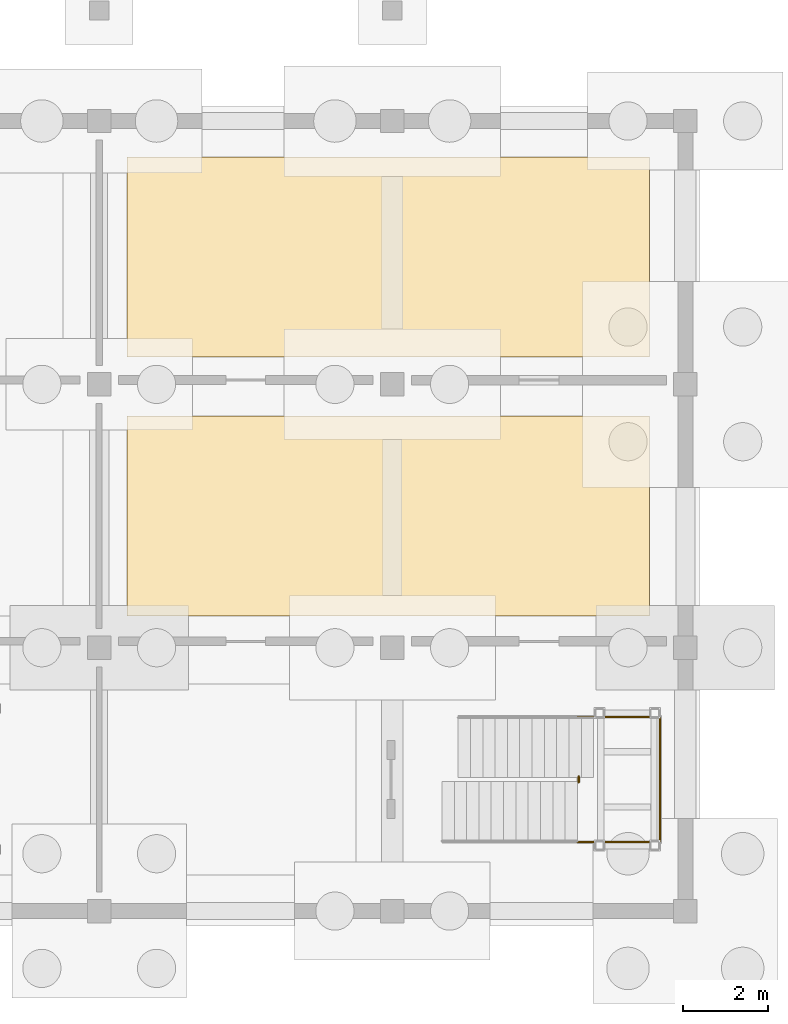
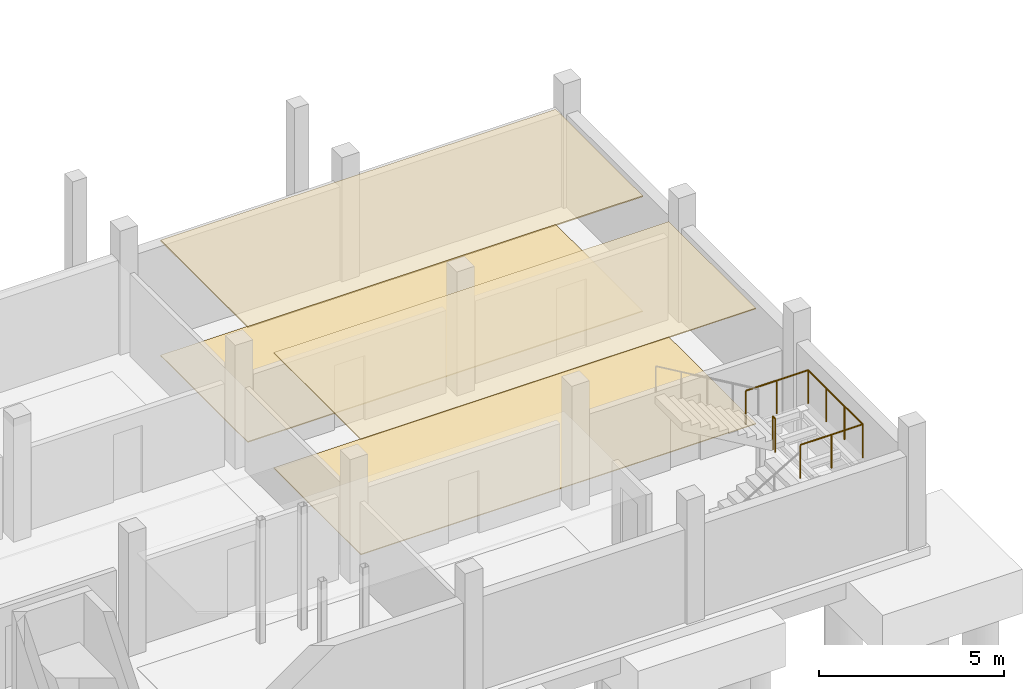
# One storey, part 54 of 58: 4 coverings, 2 railings.
"""IFC4 building model written with IfcOpenShell, lengths in metres."""

from ifc_helpers import new_model, si_unit, direction, frame, origin, origin_2d, place, context, subcontext, project, spatial, polyline, circle, outline, extrude, material, layer, layer_set, type_object, element, save


model = new_model("IFC4")

# Units and contexts
model_context = context("Model", 3, precision=1e-05, world=origin(), true_north=direction((0.0, 1.0)))
body_context = subcontext(model_context, "Body", "Model", "MODEL_VIEW")
ifc_project = project(units=[si_unit("LENGTHUNIT", "METRE"), si_unit("AREAUNIT", "SQUARE_METRE"), si_unit("VOLUMEUNIT", "CUBIC_METRE"), si_unit("PLANEANGLEUNIT", "RADIAN"), si_unit("MASSUNIT", "GRAM", prefix="KILO")], contexts=[model_context])

# Site, building, storey
site_placement = place(None, origin())
site = spatial("IfcSite", under=ifc_project, at=site_placement, CompositionType="ELEMENT")
building_placement = place(site_placement, origin())
building = spatial("IfcBuilding", under=site, at=building_placement, Name="Caldaven Crescent School", CompositionType="ELEMENT")
storey_placement = place(building_placement, frame((0.0, 0.0, -4.080078125)))
storey = spatial("IfcBuildingStorey", under=building, at=storey_placement, Name="B1", CompositionType="ELEMENT", Elevation=-4.080078125)

# Coverings
ifc_material_1 = material(Name="Perforated Pino Radiata acoustic timber baffle ceiling", Category="wood")
ifc_layer_1 = layer(ifc_material_1, 0.030029296875)
ifc_layer_set_1 = layer_set([ifc_layer_1], Name="Perforated Pino Radiata acoustic timber baffle ceiling")
covering_type_1 = type_object("IfcCoveringType", Name="COV-CLG1", PredefinedType="CEILING", material=ifc_layer_set_1)
covering_1_placement = place(storey_placement, frame((0.0, 0.0, 3.7900390625)))
element("IfcCovering", 1, at=covering_1_placement, inside=storey, type_object=covering_type_1, Name="CLG-B1-028", PredefinedType="CEILING", context=body_context, shape_type="SweptSolid", body=[
    extrude(outline(polyline([(149.64990234375, 15.85009765625), (149.64990234375, 11.14990234375), (137.35009765625, 11.14990234375), (137.35009765625, 15.85009765625), (149.64990234375, 15.85009765625)])), origin(), (0.0, 0.0, 1.0), 0.030029296875),
])
ifc_layer_2 = layer(ifc_material_1, 0.0380859375)
ifc_layer_set_2 = layer_set([ifc_layer_2], Name="Perforated Pino Radiata acoustic timber baffle ceiling")
covering_type_2 = type_object("IfcCoveringType", Name="COV-CLG2", PredefinedType="CEILING", material=ifc_layer_set_2)
covering_2_placement = place(storey_placement, frame((0.0, 0.0, 3.781982421875)))
element("IfcCovering", 2, at=covering_2_placement, inside=storey, type_object=covering_type_2, Name="CLG-B1-029", PredefinedType="CEILING", context=body_context, shape_type="SweptSolid", body=[
    extrude(outline(polyline([(149.64990234375, 21.949951171875), (149.64990234375, 17.25), (137.35009765625, 17.25), (137.35009765625, 21.949951171875), (149.64990234375, 21.949951171875)])), origin(), (0.0, 0.0, 1.0), 0.0380859375),
])
ifc_material_2 = material(Name="Polished terrazzo and acoustic linoleum flooring")
ifc_layer_3 = layer(ifc_material_2, 0.02587890625)
ifc_layer_set_3 = layer_set([ifc_layer_3], Name="Polished terrazzo and acoustic linoleum flooring")
covering_type_3 = type_object("IfcCoveringType", Name="COV-FLR2", PredefinedType="FLOORING", material=ifc_layer_set_3)
covering_3_placement = place(storey_placement, origin())
element("IfcCovering", 3, at=covering_3_placement, inside=storey, type_object=covering_type_3, Name="FLR-B1-028", PredefinedType="FLOORING", context=body_context, shape_type="SweptSolid", body=[
    extrude(outline(polyline([(137.35009765625, 15.85009765625), (149.64990234375, 15.85009765625), (149.64990234375, 11.14990234375), (137.35009765625, 11.14990234375), (137.35009765625, 15.85009765625)])), origin(), (0.0, 0.0, 1.0), 0.026123046875),
])
ifc_layer_4 = layer(ifc_material_2, 0.031982421875)
ifc_layer_set_4 = layer_set([ifc_layer_4], Name="Polished terrazzo and acoustic linoleum flooring")
covering_type_4 = type_object("IfcCoveringType", Name="COV-FLR3", PredefinedType="FLOORING", material=ifc_layer_set_4)
covering_4_placement = place(storey_placement, origin())
element("IfcCovering", 4, at=covering_4_placement, inside=storey, type_object=covering_type_4, Name="FLR-B1-029", PredefinedType="FLOORING", context=body_context, shape_type="SweptSolid", body=[
    extrude(outline(polyline([(137.35009765625, 21.949951171875), (149.64990234375, 21.949951171875), (149.64990234375, 17.25), (137.35009765625, 17.25), (137.35009765625, 21.949951171875)])), origin(), (0.0, 0.0, 1.0), 0.031982421875),
])

# Railings
ifc_material_3 = material(Name="Powder-coated tubular steel balustrade ASTM A572 Grade 50", Category="steel")
railing_type = type_object("IfcRailingType", Name="RAL-INT2", PredefinedType="BALUSTRADE", material=ifc_material_3)
railing_1_placement = place(storey_placement, frame((147.9599609375, 5.830078125, 2.0400390625)))
element("IfcRailing", 5, at=railing_1_placement, inside=storey, type_object=railing_type, Name="GD-LND-STB4-B1", PredefinedType="BALUSTRADE", context=body_context, shape_type="SweptSolid", body=[
    extrude(circle(Radius=0.02392578125, at=origin_2d()), frame((0.0, 0.0, 1.09619140625), z_axis=(1.0, 0.0, 0.0), x_axis=(0.0, 1.0, 0.0)), (0.0, 0.0, 1.0), 1.93994140625),
    extrude(circle(Radius=0.02392578125, at=origin_2d()), frame((1.93994140625, 0.0, 1.09619140625), z_axis=(0.0, 1.0, 0.0), x_axis=(-1.0, 0.0, 0.0)), (0.0, 0.0, 1.0), 2.93994140625),
    extrude(circle(Radius=0.02392578125, at=origin_2d()), frame((1.93994140625, 2.93994140625, 1.09619140625), z_axis=(-1.0, 0.0, 0.0), x_axis=(0.0, -1.0, 0.0)), (0.0, 0.0, 1.0), 1.93994140625),
    extrude(circle(Radius=0.02099609375, at=origin_2d()), origin(), (0.0, 0.0, 1.0), 1.072021484375),
    extrude(circle(Radius=0.02099609375, at=origin_2d()), frame((0.969970703125, 0.0, 0.0)), (0.0, 0.0, 1.0), 1.072021484375),
    extrude(circle(Radius=0.02099609375, at=origin_2d()), frame((1.93994140625, 0.0, 0.0)), (0.0, 0.0, 1.0), 1.072021484375),
    extrude(circle(Radius=0.02099609375, at=origin_2d()), frame((1.93994140625, 0.97998046875, 0.0)), (0.0, 0.0, 1.0), 1.072021484375),
    extrude(circle(Radius=0.02099609375, at=origin_2d()), frame((1.93994140625, 1.9599609375, 0.0)), (0.0, 0.0, 1.0), 1.072021484375),
    extrude(circle(Radius=0.02099609375, at=origin_2d()), frame((1.93994140625, 2.93994140625, 0.0)), (0.0, 0.0, 1.0), 1.072021484375),
    extrude(circle(Radius=0.02099609375, at=origin_2d()), frame((0.969970703125, 2.93994140625, 0.0)), (0.0, 0.0, 1.0), 1.072021484375),
    extrude(circle(Radius=0.02099609375, at=origin_2d()), frame((0.0, 2.93994140625, 0.0)), (0.0, 0.0, 1.0), 1.072021484375),
])
railing_2_placement = place(storey_placement, frame((147.989990234375, 7.22998046875, 2.0400390625)))
element("IfcRailing", 6, at=railing_2_placement, inside=storey, type_object=railing_type, Name="GD-SLT-STB4-B1", PredefinedType="BALUSTRADE", context=body_context, shape_type="SweptSolid", body=[
    extrude(circle(Radius=0.02392578125, at=origin_2d()), frame((0.0, 0.0, 1.09619140625), z_axis=(0.0, 1.0, 0.0), x_axis=(-1.0, 0.0, 0.0)), (0.0, 0.0, 1.0), 0.14013671875),
    extrude(circle(Radius=0.02099609375, at=origin_2d()), origin(), (0.0, 0.0, 1.0), 1.072021484375),
    extrude(circle(Radius=0.02099609375, at=origin_2d()), frame((0.0, 0.14013671875, 0.0)), (0.0, 0.0, 1.0), 1.072021484375),
])

save(model, "model.ifc")
